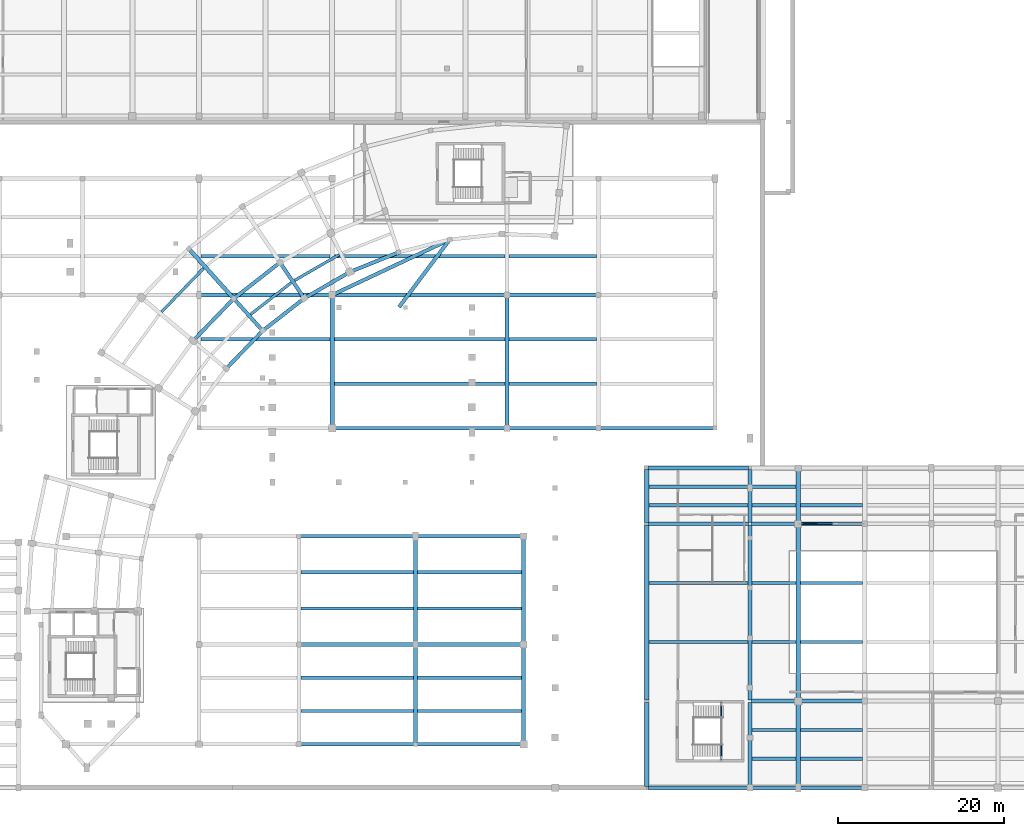
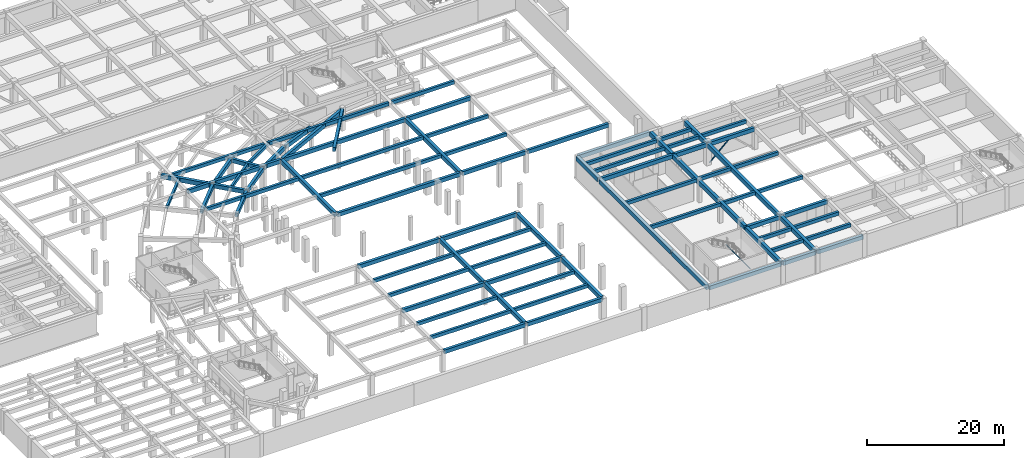
# One storey, part 5 of 35: 81 beams, 2 members.
"""IFC4 building model written with IfcOpenShell, lengths in metres."""

from ifc_helpers import new_model, si_unit, direction, frame, origin, origin_2d, place, context, subcontext, project, spatial, rectangle, hollow_rectangle, extrude, material, material_profile, profile_set, type_object, element, save


model = new_model("IFC4")

# Units and contexts
model_context = context("Model", 3, precision=1e-05, world=origin(), true_north=direction((0.0, 1.0)))
body_context = subcontext(model_context, "Body", "Model", "MODEL_VIEW")
ifc_project = project(units=[si_unit("LENGTHUNIT", "METRE"), si_unit("AREAUNIT", "SQUARE_METRE"), si_unit("VOLUMEUNIT", "CUBIC_METRE"), si_unit("PLANEANGLEUNIT", "RADIAN"), si_unit("MASSUNIT", "GRAM", prefix="KILO"), si_unit("THERMODYNAMICTEMPERATUREUNIT", "KELVIN"), si_unit("POWERUNIT", "WATT")], contexts=[model_context])

# Site, building, storey
site_placement = place(None, origin())
site = spatial("IfcSite", under=ifc_project, at=site_placement, CompositionType="ELEMENT")
building_placement = place(site_placement, origin())
building = spatial("IfcBuilding", under=site, at=building_placement, Name="Solvatero Civic Police Headquarters", CompositionType="ELEMENT")
storey_placement = place(building_placement, frame((0.0, 0.0, -4.199951171875)))
storey = spatial("IfcBuildingStorey", under=building, at=storey_placement, Name="B01", CompositionType="ELEMENT", Elevation=-4.199951171875)

# Beams
ifc_material_1 = material(Name="Concrete C40/50", Category="concrete")
ifc_material_profile_1 = material_profile(ifc_material_1, rectangle(XDim=0.35009765625, YDim=0.550048828125, at=origin_2d()), Name="RC 350x550")
ifc_profile_set_1 = profile_set([ifc_material_profile_1], Name="Concrete C40/50")
beam_type_1 = type_object("IfcBeamType", Name="BM-RC-350x550", PredefinedType="BEAM", material=ifc_profile_set_1)
for number, where, z_axis, x_axis, name in (
    (1, (72.829345703125, 68.83740234375, 3.625), (-0.866018181901, -0.500012508461, 0.0), (0.500012508461, -0.866018181901, 0.0), "Primary girder BM-R2-B01-ARC-CS1-B05"),
    (2, (67.073486328125, 65.47412109375, 3.625), (-0.787999171753, -0.615676299135, 0.0), (0.615676299135, -0.787999171753, 0.0), "Primary girder BM-R2-B01-ARC-CS1-B06"),
):
    element("IfcBeam", number, at=place(storey_placement, frame(where, z_axis=z_axis, x_axis=x_axis)), inside=storey, type_object=beam_type_1, Name=name, PredefinedType="BEAM", context=body_context, shape_type="SweptSolid", body=[
        extrude(rectangle(XDim=0.35009765625, YDim=0.550048828125, at=origin_2d()), origin(), (0.0, 0.0, 1.0), 6.168701171875),
    ])
beam_1_placement = place(storey_placement, frame((56.5556640625, 67.21337890625, 3.625), z_axis=(-0.694659228383, -0.71933897185, 0.0), x_axis=(0.71933897185, -0.694659228383, 0.0)))
element("IfcBeam", 3, at=beam_1_placement, inside=storey, type_object=beam_type_1, Name="Primary girder BM-R2-B01-ARC-CS2-B07", PredefinedType="BEAM", context=body_context, shape_type="SweptSolid", body=[
    extrude(rectangle(XDim=0.35009765625, YDim=0.550048828125, at=origin_2d()), origin(), (0.0, 0.0, 1.0), 7.27099609375),
])
ifc_material_profile_2 = material_profile(ifc_material_1, rectangle(XDim=0.39990234375, YDim=0.60009765625, at=origin_2d()), Name="RC 400x600")
ifc_profile_set_2 = profile_set([ifc_material_profile_2], Name="Concrete C40/50")
beam_type_2 = type_object("IfcBeamType", Name="BM-RC-400x600", PredefinedType="BEAM", material=ifc_profile_set_2)
for number, where, z_axis, x_axis, name in (
    (4, (68.25, 14.0, 3.639892578125), (1.0, 0.0, 0.0), (0.0, 1.0, 0.0), "Primary girder BM-R2-B01-SUBS-SEC-3-1-S1"),
    (5, (68.25, 18.0, 3.639892578125), (1.0, 0.0, 0.0), (0.0, 1.0, 0.0), "Primary girder BM-R2-B01-SUBS-SEC-3-1-S2"),
    (6, (68.25, 26.333251953125, 3.639892578125), (1.0, 0.0, 0.0), (0.0, 1.0, 0.0), "Primary girder BM-R2-B01-SUBS-SEC-3-2-S1"),
    (7, (68.25, 30.666748046875, 3.639892578125), (1.0, 0.0, 0.0), (0.0, 1.0, 0.0), "Primary girder BM-R2-B01-SUBS-SEC-3-2-S2"),
):
    element("IfcBeam", number, at=place(storey_placement, frame(where, z_axis=z_axis, x_axis=x_axis)), inside=storey, type_object=beam_type_2, Name=name, PredefinedType="BEAM", context=body_context, shape_type="SweptSolid", body=[
        extrude(rectangle(XDim=0.39990234375, YDim=0.60009765625, at=origin_2d()), origin(), (0.0, 0.0, 1.0), 13.5),
    ])
for number, where, z_axis, x_axis, name in (
    (8, (82.25, 14.0, 3.639892578125), (1.0, 0.0, 0.0), (0.0, 1.0, 0.0), "Primary girder BM-R2-B01-SUBS-SEC-4-1-S1"),
    (9, (82.25, 18.0, 3.639892578125), (1.0, 0.0, 0.0), (0.0, 1.0, 0.0), "Primary girder BM-R2-B01-SUBS-SEC-4-1-S2"),
    (10, (82.25, 26.333251953125, 3.639892578125), (1.0, 0.0, 0.0), (0.0, 1.0, 0.0), "Primary girder BM-R2-B01-SUBS-SEC-4-2-S1"),
    (11, (82.25, 30.666748046875, 3.639892578125), (1.0, 0.0, 0.0), (0.0, 1.0, 0.0), "Primary girder BM-R2-B01-SUBS-SEC-4-2-S2"),
):
    element("IfcBeam", number, at=place(storey_placement, frame(where, z_axis=z_axis, x_axis=x_axis)), inside=storey, type_object=beam_type_2, Name=name, PredefinedType="BEAM", context=body_context, shape_type="SweptSolid", body=[
        extrude(rectangle(XDim=0.39990234375, YDim=0.60009765625, at=origin_2d()), origin(), (0.0, 0.0, 1.0), 12.5),
    ])
for number, where, z_axis, x_axis, name in (
    (12, (56.25, 58.666748046875, 3.639892578125), (1.0, 0.0, 0.0), (0.0, 1.0, 0.0), "Primary girder BM-R2-B01-SUBM-SEC-3-1-S2"),
    (13, (56.25, 68.666748046875, 3.639892578125), (1.0, 0.0, 0.0), (0.0, 1.0, 0.0), "Primary girder BM-R2-B01-SUBM-SEC-3-2-S1"),
):
    element("IfcBeam", number, at=place(storey_placement, frame(where, z_axis=z_axis, x_axis=x_axis)), inside=storey, type_object=beam_type_2, Name=name, PredefinedType="BEAM", context=body_context, shape_type="SweptSolid", body=[
        extrude(rectangle(XDim=0.39990234375, YDim=0.60009765625, at=origin_2d()), origin(), (0.0, 0.0, 1.0), 15.5),
    ])
for number, where, z_axis, x_axis, name in (
    (14, (72.25, 53.333251953125, 3.639892578125), (1.0, 0.0, 0.0), (0.0, 1.0, 0.0), "Primary girder BM-R2-B01-SUBM-SEC-4-1-S1"),
    (15, (72.25, 58.666748046875, 3.639892578125), (1.0, 0.0, 0.0), (0.0, 1.0, 0.0), "Primary girder BM-R2-B01-SUBM-SEC-4-1-S2"),
    (16, (72.25, 68.666748046875, 3.639892578125), (1.0, 0.0, 0.0), (0.0, 1.0, 0.0), "Primary girder BM-R2-B01-SUBM-SEC-4-2-S1"),
):
    element("IfcBeam", number, at=place(storey_placement, frame(where, z_axis=z_axis, x_axis=x_axis)), inside=storey, type_object=beam_type_2, Name=name, PredefinedType="BEAM", context=body_context, shape_type="SweptSolid", body=[
        extrude(rectangle(XDim=0.39990234375, YDim=0.60009765625, at=origin_2d()), origin(), (0.0, 0.0, 1.0), 20.5),
    ])
for number, where, z_axis, x_axis, name in (
    (17, (93.25, 53.333251953125, 3.639892578125), (1.0, 0.0, 0.0), (0.0, 1.0, 0.0), "Primary girder BM-R2-B01-SUBM-SEC-5-1-S1"),
    (18, (93.25, 58.666748046875, 3.639892578125), (1.0, 0.0, 0.0), (0.0, 1.0, 0.0), "Primary girder BM-R2-B01-SUBM-SEC-5-1-S2"),
    (19, (93.25, 68.666748046875, 3.639892578125), (1.0, 0.0, 0.0), (0.0, 1.0, 0.0), "Primary girder BM-R2-B01-SUBM-SEC-5-2-S1"),
):
    element("IfcBeam", number, at=place(storey_placement, frame(where, z_axis=z_axis, x_axis=x_axis)), inside=storey, type_object=beam_type_2, Name=name, PredefinedType="BEAM", context=body_context, shape_type="SweptSolid", body=[
        extrude(rectangle(XDim=0.39990234375, YDim=0.60009765625, at=origin_2d()), origin(), (0.0, 0.0, 1.0), 10.5),
    ])
for number, where, z_axis, x_axis, name in (
    (20, (110.050048828125, 22.300048828125, 3.599853515625), (1.0, 0.0, 0.0), (0.0, 1.0, 0.0), "Primary girder BM-R2-B01-V3B-SEC-1-2-S1"),
    (21, (110.050048828125, 29.39990234375, 3.599853515625), (1.0, 0.0, 0.0), (0.0, 1.0, 0.0), "Primary girder BM-R2-B01-V3B-SEC-1-2-S2"),
    (22, (110.050048828125, 38.7333984375, 3.599853515625), (1.0, 0.0, 0.0), (0.0, 1.0, 0.0), "Primary girder BM-R2-B01-V3B-SEC-1-3-S1"),
    (23, (110.050048828125, 40.966796875, 3.599853515625), (1.0, 0.0, 0.0), (0.0, 1.0, 0.0), "Primary girder BM-R2-B01-V3B-SEC-1-3-S2"),
):
    element("IfcBeam", number, at=place(storey_placement, frame(where, z_axis=z_axis, x_axis=x_axis)), inside=storey, type_object=beam_type_2, Name=name, PredefinedType="BEAM", context=body_context, shape_type="SweptSolid", body=[
        extrude(rectangle(XDim=0.39990234375, YDim=0.60009765625, at=origin_2d()), origin(), (0.0, 0.0, 1.0), 11.89990234375),
    ])
for number, where, z_axis, x_axis, name in (
    (24, (122.449951171875, 8.2666015625, 3.599853515625), (1.0, 0.0, 0.0), (0.0, 1.0, 0.0), "Primary girder BM-R2-B01-V3B-SEC-2-1-S1"),
    (25, (122.449951171875, 11.7333984375, 3.599853515625), (1.0, 0.0, 0.0), (0.0, 1.0, 0.0), "Primary girder BM-R2-B01-V3B-SEC-2-1-S2"),
    (26, (122.449951171875, 22.300048828125, 3.599853515625), (1.0, 0.0, 0.0), (0.0, 1.0, 0.0), "Primary girder BM-R2-B01-V3B-SEC-2-2-S1"),
    (27, (122.449951171875, 29.39990234375, 3.599853515625), (1.0, 0.0, 0.0), (0.0, 1.0, 0.0), "Primary girder BM-R2-B01-V3B-SEC-2-2-S2"),
    (28, (122.449951171875, 38.7333984375, 3.599853515625), (1.0, 0.0, 0.0), (0.0, 1.0, 0.0), "Primary girder BM-R2-B01-V3B-SEC-2-3-S1"),
    (29, (122.449951171875, 40.966796875, 3.599853515625), (1.0, 0.0, 0.0), (0.0, 1.0, 0.0), "Primary girder BM-R2-B01-V3B-SEC-2-3-S2"),
):
    element("IfcBeam", number, at=place(storey_placement, frame(where, z_axis=z_axis, x_axis=x_axis)), inside=storey, type_object=beam_type_2, Name=name, PredefinedType="BEAM", context=body_context, shape_type="SweptSolid", body=[
        extrude(rectangle(XDim=0.39990234375, YDim=0.60009765625, at=origin_2d()), origin(), (0.0, 0.0, 1.0), 5.300048828125),
    ])
for number, where, z_axis, x_axis, name in (
    (30, (128.25, 8.2666015625, 3.599853515625), (1.0, 0.0, 0.0), (0.0, 1.0, 0.0), "Primary girder BM-R2-B01-V3B-SEC-3-1-S1"),
    (31, (128.25, 11.7333984375, 3.599853515625), (1.0, 0.0, 0.0), (0.0, 1.0, 0.0), "Primary girder BM-R2-B01-V3B-SEC-3-1-S2"),
    (32, (128.25, 22.300048828125, 3.599853515625), (1.0, 0.0, 0.0), (0.0, 1.0, 0.0), "Primary girder BM-R2-B01-V3B-SEC-3-2-S1"),
    (33, (128.25, 29.39990234375, 3.599853515625), (1.0, 0.0, 0.0), (0.0, 1.0, 0.0), "Primary girder BM-R2-B01-V3B-SEC-3-2-S2"),
    (34, (128.25, 38.7333984375, 3.599853515625), (1.0, 0.0, 0.0), (0.0, 1.0, 0.0), "Primary girder BM-R2-B01-V3B-SEC-3-3-S1"),
):
    element("IfcBeam", number, at=place(storey_placement, frame(where, z_axis=z_axis, x_axis=x_axis)), inside=storey, type_object=beam_type_2, Name=name, PredefinedType="BEAM", context=body_context, shape_type="SweptSolid", body=[
        extrude(rectangle(XDim=0.39990234375, YDim=0.60009765625, at=origin_2d()), origin(), (0.0, 0.0, 1.0), 7.5),
    ])
ifc_material_profile_3 = material_profile(ifc_material_1, rectangle(XDim=0.449951171875, YDim=0.699951171875, at=origin_2d()), Name="RC 450x700")
ifc_profile_set_3 = profile_set([ifc_material_profile_3], Name="Concrete C40/50")
beam_type_3 = type_object("IfcBeamType", Name="BM-RC-450x700", PredefinedType="BEAM", material=ifc_profile_set_3)
beam_2_placement = place(storey_placement, frame((68.159912109375, 10.0, 3.58984375), z_axis=(1.0, 0.0, 0.0), x_axis=(0.0, 1.0, 0.0)))
element("IfcBeam", 35, at=beam_2_placement, inside=storey, type_object=beam_type_3, Name="Primary girder BM-R2-B01-SUBS-GX-3-1", PredefinedType="BEAM", context=body_context, shape_type="SweptSolid", body=[
    extrude(rectangle(XDim=0.449951171875, YDim=0.699951171875, at=origin_2d()), origin(), (0.0, 0.0, 1.0), 13.68017578125),
])
beam_3_placement = place(storey_placement, frame((82.159912109375, 10.0, 3.58984375), z_axis=(1.0, 0.0, 0.0), x_axis=(0.0, 1.0, 0.0)))
element("IfcBeam", 36, at=beam_3_placement, inside=storey, type_object=beam_type_3, Name="Primary girder BM-R2-B01-SUBS-GX-4-1", PredefinedType="BEAM", context=body_context, shape_type="SweptSolid", body=[
    extrude(rectangle(XDim=0.449951171875, YDim=0.699951171875, at=origin_2d()), origin(), (0.0, 0.0, 1.0), 12.68017578125),
])
beam_4_placement = place(storey_placement, frame((68.159912109375, 22.0, 3.58984375), z_axis=(1.0, 0.0, 0.0), x_axis=(0.0, 1.0, 0.0)))
element("IfcBeam", 37, at=beam_4_placement, inside=storey, type_object=beam_type_3, Name="Primary girder BM-R2-B01-SUBS-GX-3-2", PredefinedType="BEAM", context=body_context, shape_type="SweptSolid", body=[
    extrude(rectangle(XDim=0.449951171875, YDim=0.699951171875, at=origin_2d()), origin(), (0.0, 0.0, 1.0), 13.68017578125),
])
beam_5_placement = place(storey_placement, frame((82.159912109375, 22.0, 3.58984375), z_axis=(1.0, 0.0, 0.0), x_axis=(0.0, 1.0, 0.0)))
element("IfcBeam", 38, at=beam_5_placement, inside=storey, type_object=beam_type_3, Name="Primary girder BM-R2-B01-SUBS-GX-4-2", PredefinedType="BEAM", context=body_context, shape_type="SweptSolid", body=[
    extrude(rectangle(XDim=0.449951171875, YDim=0.699951171875, at=origin_2d()), origin(), (0.0, 0.0, 1.0), 12.68017578125),
])
beam_6_placement = place(storey_placement, frame((68.159912109375, 35.0, 3.58984375), z_axis=(1.0, 0.0, 0.0), x_axis=(0.0, 1.0, 0.0)))
element("IfcBeam", 39, at=beam_6_placement, inside=storey, type_object=beam_type_3, Name="Primary girder BM-R2-B01-SUBS-GX-3-3", PredefinedType="BEAM", context=body_context, shape_type="SweptSolid", body=[
    extrude(rectangle(XDim=0.449951171875, YDim=0.699951171875, at=origin_2d()), origin(), (0.0, 0.0, 1.0), 13.68017578125),
])
beam_7_placement = place(storey_placement, frame((82.159912109375, 35.0, 3.58984375), z_axis=(1.0, 0.0, 0.0), x_axis=(0.0, 1.0, 0.0)))
element("IfcBeam", 40, at=beam_7_placement, inside=storey, type_object=beam_type_3, Name="Primary girder BM-R2-B01-SUBS-GX-4-3", PredefinedType="BEAM", context=body_context, shape_type="SweptSolid", body=[
    extrude(rectangle(XDim=0.449951171875, YDim=0.699951171875, at=origin_2d()), origin(), (0.0, 0.0, 1.0), 12.68017578125),
])
beam_8_placement = place(storey_placement, frame((72.159912109375, 48.0, 3.58984375), z_axis=(1.0, 0.0, 0.0), x_axis=(0.0, 1.0, 0.0)))
element("IfcBeam", 41, at=beam_8_placement, inside=storey, type_object=beam_type_3, Name="Primary girder BM-R2-B01-SUBM-GX-4-1", PredefinedType="BEAM", context=body_context, shape_type="SweptSolid", body=[
    extrude(rectangle(XDim=0.449951171875, YDim=0.699951171875, at=origin_2d()), origin(), (0.0, 0.0, 1.0), 20.68017578125),
])
beam_9_placement = place(storey_placement, frame((93.159912109375, 48.0, 3.58984375), z_axis=(1.0, 0.0, 0.0), x_axis=(0.0, 1.0, 0.0)))
element("IfcBeam", 42, at=beam_9_placement, inside=storey, type_object=beam_type_3, Name="Primary girder BM-R2-B01-SUBM-GX-5-1", PredefinedType="BEAM", context=body_context, shape_type="SweptSolid", body=[
    extrude(rectangle(XDim=0.449951171875, YDim=0.699951171875, at=origin_2d()), origin(), (0.0, 0.0, 1.0), 10.68017578125),
])
beam_10_placement = place(storey_placement, frame((104.159912109375, 48.0, 3.58984375), z_axis=(1.0, 0.0, 0.0), x_axis=(0.0, 1.0, 0.0)))
element("IfcBeam", 43, at=beam_10_placement, inside=storey, type_object=beam_type_3, Name="Primary girder BM-R2-B01-SUBM-GX-6-1", PredefinedType="BEAM", context=body_context, shape_type="SweptSolid", body=[
    extrude(rectangle(XDim=0.449951171875, YDim=0.699951171875, at=origin_2d()), origin(), (0.0, 0.0, 1.0), 13.68017578125),
])
beam_11_placement = place(storey_placement, frame((56.159912109375, 64.0, 3.58984375), z_axis=(1.0, 0.0, 0.0), x_axis=(0.0, 1.0, 0.0)))
element("IfcBeam", 44, at=beam_11_placement, inside=storey, type_object=beam_type_3, Name="Primary girder BM-R2-B01-SUBM-GX-3-2", PredefinedType="BEAM", context=body_context, shape_type="SweptSolid", body=[
    extrude(rectangle(XDim=0.449951171875, YDim=0.699951171875, at=origin_2d()), origin(), (0.0, 0.0, 1.0), 15.68017578125),
])
beam_12_placement = place(storey_placement, frame((72.159912109375, 64.0, 3.58984375), z_axis=(1.0, 0.0, 0.0), x_axis=(0.0, 1.0, 0.0)))
element("IfcBeam", 45, at=beam_12_placement, inside=storey, type_object=beam_type_3, Name="Primary girder BM-R2-B01-SUBM-GX-4-2", PredefinedType="BEAM", context=body_context, shape_type="SweptSolid", body=[
    extrude(rectangle(XDim=0.449951171875, YDim=0.699951171875, at=origin_2d()), origin(), (0.0, 0.0, 1.0), 20.68017578125),
])
beam_13_placement = place(storey_placement, frame((93.159912109375, 64.0, 3.58984375), z_axis=(1.0, 0.0, 0.0), x_axis=(0.0, 1.0, 0.0)))
element("IfcBeam", 46, at=beam_13_placement, inside=storey, type_object=beam_type_3, Name="Primary girder BM-R2-B01-SUBM-GX-5-2", PredefinedType="BEAM", context=body_context, shape_type="SweptSolid", body=[
    extrude(rectangle(XDim=0.449951171875, YDim=0.699951171875, at=origin_2d()), origin(), (0.0, 0.0, 1.0), 10.68017578125),
])
beam_14_placement = place(storey_placement, frame((109.9599609375, 4.800048828125, 3.550048828125), z_axis=(1.0, 0.0, 0.0), x_axis=(0.0, 1.0, 0.0)))
element("IfcBeam", 47, at=beam_14_placement, inside=storey, type_object=beam_type_3, Name="Primary girder BM-R2-B01-V3B-GX-1-1", PredefinedType="BEAM", context=body_context, shape_type="SweptSolid", body=[
    extrude(rectangle(XDim=0.449951171875, YDim=0.699951171875, at=origin_2d()), origin(), (0.0, 0.0, 1.0), 12.080078125),
])
beam_15_placement = place(storey_placement, frame((122.360107421875, 4.800048828125, 3.550048828125), z_axis=(1.0, 0.0, 0.0), x_axis=(0.0, 1.0, 0.0)))
element("IfcBeam", 48, at=beam_15_placement, inside=storey, type_object=beam_type_3, Name="Primary girder BM-R2-B01-V3B-GX-2-1", PredefinedType="BEAM", context=body_context, shape_type="SweptSolid", body=[
    extrude(rectangle(XDim=0.449951171875, YDim=0.699951171875, at=origin_2d()), origin(), (0.0, 0.0, 1.0), 5.47998046875),
])
beam_16_placement = place(storey_placement, frame((128.159912109375, 4.800048828125, 3.550048828125), z_axis=(1.0, 0.0, 0.0), x_axis=(0.0, 1.0, 0.0)))
element("IfcBeam", 49, at=beam_16_placement, inside=storey, type_object=beam_type_3, Name="Primary girder BM-R2-B01-V3B-GX-3-1", PredefinedType="BEAM", context=body_context, shape_type="SweptSolid", body=[
    extrude(rectangle(XDim=0.449951171875, YDim=0.699951171875, at=origin_2d()), origin(), (0.0, 0.0, 1.0), 7.68017578125),
])
beam_17_placement = place(storey_placement, frame((122.360107421875, 15.199951171875, 3.550048828125), z_axis=(1.0, 0.0, 0.0), x_axis=(0.0, 1.0, 0.0)))
element("IfcBeam", 50, at=beam_17_placement, inside=storey, type_object=beam_type_3, Name="Primary girder BM-R2-B01-V3B-GX-2-2", PredefinedType="BEAM", context=body_context, shape_type="SweptSolid", body=[
    extrude(rectangle(XDim=0.449951171875, YDim=0.699951171875, at=origin_2d()), origin(), (0.0, 0.0, 1.0), 5.47998046875),
])
beam_18_placement = place(storey_placement, frame((128.159912109375, 15.199951171875, 3.550048828125), z_axis=(1.0, 0.0, 0.0), x_axis=(0.0, 1.0, 0.0)))
element("IfcBeam", 51, at=beam_18_placement, inside=storey, type_object=beam_type_3, Name="Primary girder BM-R2-B01-V3B-GX-3-2", PredefinedType="BEAM", context=body_context, shape_type="SweptSolid", body=[
    extrude(rectangle(XDim=0.449951171875, YDim=0.699951171875, at=origin_2d()), origin(), (0.0, 0.0, 1.0), 7.68017578125),
])
beam_19_placement = place(storey_placement, frame((109.9599609375, 36.5, 3.550048828125), z_axis=(1.0, 0.0, 0.0), x_axis=(0.0, 1.0, 0.0)))
element("IfcBeam", 52, at=beam_19_placement, inside=storey, type_object=beam_type_3, Name="Primary girder BM-R2-B01-V3B-GX-1-3", PredefinedType="BEAM", context=body_context, shape_type="SweptSolid", body=[
    extrude(rectangle(XDim=0.449951171875, YDim=0.699951171875, at=origin_2d()), origin(), (0.0, 0.0, 1.0), 12.080078125),
])
beam_20_placement = place(storey_placement, frame((122.360107421875, 36.5, 3.550048828125), z_axis=(1.0, 0.0, 0.0), x_axis=(0.0, 1.0, 0.0)))
element("IfcBeam", 53, at=beam_20_placement, inside=storey, type_object=beam_type_3, Name="Primary girder BM-R2-B01-V3B-GX-2-3", PredefinedType="BEAM", context=body_context, shape_type="SweptSolid", body=[
    extrude(rectangle(XDim=0.449951171875, YDim=0.699951171875, at=origin_2d()), origin(), (0.0, 0.0, 1.0), 5.47998046875),
])
beam_21_placement = place(storey_placement, frame((128.159912109375, 36.5, 3.550048828125), z_axis=(1.0, 0.0, 0.0), x_axis=(0.0, 1.0, 0.0)))
element("IfcBeam", 54, at=beam_21_placement, inside=storey, type_object=beam_type_3, Name="Primary girder BM-R2-B01-V3B-GX-3-3", PredefinedType="BEAM", context=body_context, shape_type="SweptSolid", body=[
    extrude(rectangle(XDim=0.449951171875, YDim=0.699951171875, at=origin_2d()), origin(), (0.0, 0.0, 1.0), 7.68017578125),
])
beam_22_placement = place(storey_placement, frame((109.9599609375, 43.199951171875, 3.550048828125), z_axis=(1.0, 0.0, 0.0), x_axis=(0.0, 1.0, 0.0)))
element("IfcBeam", 55, at=beam_22_placement, inside=storey, type_object=beam_type_3, Name="Primary girder BM-R2-B01-V3B-GX-1-4", PredefinedType="BEAM", context=body_context, shape_type="SweptSolid", body=[
    extrude(rectangle(XDim=0.449951171875, YDim=0.699951171875, at=origin_2d()), origin(), (0.0, 0.0, 1.0), 12.080078125),
])
beam_23_placement = place(storey_placement, frame((72.09033203125, 64.042724609375, 3.58984375), z_axis=(0.904477471438, 0.426521398832, 0.0), x_axis=(-0.426521398832, 0.904477471438, 0.0)))
element("IfcBeam", 56, at=beam_23_placement, inside=storey, type_object=beam_type_3, Name="Primary girder BM-R2-B01-CRIN-SUP1", PredefinedType="BEAM", context=body_context, shape_type="SweptSolid", body=[
    extrude(rectangle(XDim=0.449951171875, YDim=0.699951171875, at=origin_2d()), origin(), (0.0, 0.0, 1.0), 15.4169921875),
])
beam_24_placement = place(storey_placement, frame((80.030029296875, 62.5400390625, 3.58984375), z_axis=(0.600278320008, 0.799791184328, 0.0), x_axis=(-0.799791184328, 0.600278320008, 0.0)))
element("IfcBeam", 57, at=beam_24_placement, inside=storey, type_object=beam_type_3, Name="Primary girder BM-R2-B01-CRIN-SUP2", PredefinedType="BEAM", context=body_context, shape_type="SweptSolid", body=[
    extrude(rectangle(XDim=0.449951171875, YDim=0.699951171875, at=origin_2d()), origin(), (0.0, 0.0, 1.0), 10.10400390625),
])
for number, where, z_axis, x_axis, name in (
    (58, (68.551025390625, 63.7294921875, 3.550048828125), (-0.559183253697, 0.829044081328, 0.0), (-0.829044081328, -0.559183253697, 0.0), "Primary girder BM-R2-B01-ARC-RAD1-S05"),
    (59, (63.5478515625, 59.820556640625, 3.550048828125), (-0.669141611787, 0.743134915998, 0.0), (-0.743134915998, -0.669141611787, 0.0), "Primary girder BM-R2-B01-ARC-RAD1-S06"),
):
    element("IfcBeam", number, at=place(storey_placement, frame(where, z_axis=z_axis, x_axis=x_axis)), inside=storey, type_object=beam_type_3, Name=name, PredefinedType="BEAM", context=body_context, shape_type="SweptSolid", body=[
        extrude(rectangle(XDim=0.449951171875, YDim=0.699951171875, at=origin_2d()), origin(), (0.0, 0.0, 1.0), 4.8798828125),
    ])
beam_25_placement = place(storey_placement, frame((79.837890625, 69.070556640625, 3.550048828125), z_axis=(-0.92718456448, -0.374604836313, 0.0), x_axis=(0.374604836313, -0.92718456448, 0.0)))
element("IfcBeam", 60, at=beam_25_placement, inside=storey, type_object=beam_type_3, Name="Primary girder BM-R2-B01-ARC-CIN-B04", PredefinedType="BEAM", context=body_context, shape_type="SweptSolid", body=[
    extrude(rectangle(XDim=0.449951171875, YDim=0.699951171875, at=origin_2d()), origin(), (0.0, 0.0, 1.0), 6.007080078125),
])
beam_26_placement = place(storey_placement, frame((73.981201171875, 66.680419921875, 3.550048828125), z_axis=(-0.866018402283, -0.50001212676, 0.0), x_axis=(0.50001212676, -0.866018402283, 0.0)))
element("IfcBeam", 61, at=beam_26_placement, inside=storey, type_object=beam_type_3, Name="Primary girder BM-R2-B01-ARC-CIN-B05", PredefinedType="BEAM", context=body_context, shape_type="SweptSolid", body=[
    extrude(rectangle(XDim=0.449951171875, YDim=0.699951171875, at=origin_2d()), origin(), (0.0, 0.0, 1.0), 6.006591796875),
])
beam_27_placement = place(storey_placement, frame((68.514404296875, 63.498291015625, 3.550048828125), z_axis=(-0.788002190418, -0.61567243555, 0.0), x_axis=(0.61567243555, -0.788002190418, 0.0)))
element("IfcBeam", 62, at=beam_27_placement, inside=storey, type_object=beam_type_3, Name="Primary girder BM-R2-B01-ARC-CIN-B06", PredefinedType="BEAM", context=body_context, shape_type="SweptSolid", body=[
    extrude(rectangle(XDim=0.449951171875, YDim=0.699951171875, at=origin_2d()), origin(), (0.0, 0.0, 1.0), 6.0068359375),
])
beam_28_placement = place(storey_placement, frame((65.606689453125, 67.809326171875, 3.550048828125), z_axis=(-0.788016676635, -0.61565389412, 0.0), x_axis=(0.61565389412, -0.788016676635, 0.0)))
element("IfcBeam", 63, at=beam_28_placement, inside=storey, type_object=beam_type_3, Name="Primary girder BM-R2-B01-ARC-CMID-B06", PredefinedType="BEAM", context=body_context, shape_type="SweptSolid", body=[
    extrude(rectangle(XDim=0.449951171875, YDim=0.699951171875, at=origin_2d()), origin(), (0.0, 0.0, 1.0), 6.732421875),
])
beam_29_placement = place(storey_placement, frame((63.543701171875, 59.58642578125, 3.550048828125), z_axis=(-0.694643109588, -0.719354537277, 0.0), x_axis=(0.719354537277, -0.694643109588, 0.0)))
element("IfcBeam", 64, at=beam_29_placement, inside=storey, type_object=beam_type_3, Name="Primary girder BM-R2-B01-ARC-CIN-B07", PredefinedType="BEAM", context=body_context, shape_type="SweptSolid", body=[
    extrude(rectangle(XDim=0.449951171875, YDim=0.699951171875, at=origin_2d()), origin(), (0.0, 0.0, 1.0), 6.0068359375),
])
beam_30_placement = place(storey_placement, frame((60.064208984375, 63.450927734375, 3.550048828125), z_axis=(-0.694632695691, -0.719364593288, 0.0), x_axis=(0.719364593288, -0.694632695691, 0.0)))
element("IfcBeam", 65, at=beam_30_placement, inside=storey, type_object=beam_type_3, Name="Primary girder BM-R2-B01-ARC-CMID-B07", PredefinedType="BEAM", context=body_context, shape_type="SweptSolid", body=[
    extrude(rectangle(XDim=0.449951171875, YDim=0.699951171875, at=origin_2d()), origin(), (0.0, 0.0, 1.0), 6.732421875),
])
ifc_material_profile_4 = material_profile(ifc_material_1, rectangle(XDim=0.5, YDim=0.75, at=origin_2d()), Name="RC 500x750")
ifc_profile_set_4 = profile_set([ifc_material_profile_4], Name="Concrete C40/50")
beam_type_4 = type_object("IfcBeamType", Name="BM-RC-500x750", PredefinedType="BEAM", material=ifc_profile_set_4)
beam_31_placement = place(storey_placement, frame((82.0, 10.159912109375, 3.56494140625), z_axis=(0.0, 1.0, 0.0), x_axis=(-1.0, 0.0, 0.0)))
element("IfcBeam", 66, at=beam_31_placement, inside=storey, type_object=beam_type_4, Name="Primary girder BM-R2-B01-SUBS-GY-4-1", PredefinedType="BEAM", context=body_context, shape_type="SweptSolid", body=[
    extrude(rectangle(XDim=0.5, YDim=0.75, at=origin_2d()), origin(), (0.0, 0.0, 1.0), 11.68017578125),
])
beam_32_placement = place(storey_placement, frame((82.0, 22.159912109375, 3.56494140625), z_axis=(0.0, 1.0, 0.0), x_axis=(-1.0, 0.0, 0.0)))
element("IfcBeam", 67, at=beam_32_placement, inside=storey, type_object=beam_type_4, Name="Primary girder BM-R2-B01-SUBS-GY-4-2", PredefinedType="BEAM", context=body_context, shape_type="SweptSolid", body=[
    extrude(rectangle(XDim=0.5, YDim=0.75, at=origin_2d()), origin(), (0.0, 0.0, 1.0), 12.68017578125),
])
beam_33_placement = place(storey_placement, frame((95.0, 10.159912109375, 3.56494140625), z_axis=(0.0, 1.0, 0.0), x_axis=(-1.0, 0.0, 0.0)))
element("IfcBeam", 68, at=beam_33_placement, inside=storey, type_object=beam_type_4, Name="Primary girder BM-R2-B01-SUBS-GY-5-1", PredefinedType="BEAM", context=body_context, shape_type="SweptSolid", body=[
    extrude(rectangle(XDim=0.5, YDim=0.75, at=origin_2d()), origin(), (0.0, 0.0, 1.0), 11.68017578125),
])
beam_34_placement = place(storey_placement, frame((95.0, 22.159912109375, 3.56494140625), z_axis=(0.0, 1.0, 0.0), x_axis=(-1.0, 0.0, 0.0)))
element("IfcBeam", 69, at=beam_34_placement, inside=storey, type_object=beam_type_4, Name="Primary girder BM-R2-B01-SUBS-GY-5-2", PredefinedType="BEAM", context=body_context, shape_type="SweptSolid", body=[
    extrude(rectangle(XDim=0.5, YDim=0.75, at=origin_2d()), origin(), (0.0, 0.0, 1.0), 12.68017578125),
])
for number, where, z_axis, x_axis, name in (
    (70, (72.0, 48.159912109375, 3.56494140625), (0.0, 1.0, 0.0), (-1.0, 0.0, 0.0), "Primary girder BM-R2-B01-SUBM-GY-4-1"),
    (71, (93.0, 48.159912109375, 3.56494140625), (0.0, 1.0, 0.0), (-1.0, 0.0, 0.0), "Primary girder BM-R2-B01-SUBM-GY-5-1"),
):
    element("IfcBeam", number, at=place(storey_placement, frame(where, z_axis=z_axis, x_axis=x_axis)), inside=storey, type_object=beam_type_4, Name=name, PredefinedType="BEAM", context=body_context, shape_type="SweptSolid", body=[
        extrude(rectangle(XDim=0.5, YDim=0.75, at=origin_2d()), origin(), (0.0, 0.0, 1.0), 15.68017578125),
    ])
beam_35_placement = place(storey_placement, frame((60.068359375, 63.684814453125, 3.52490234375), z_axis=(-0.669124218794, 0.743150576817, 0.0), x_axis=(-0.743150576817, -0.669124218794, 0.0)))
element("IfcBeam", 72, at=beam_35_placement, inside=storey, type_object=beam_type_4, Name="Primary girder BM-R2-B01-ARC-RAD2-S06", PredefinedType="BEAM", context=body_context, shape_type="SweptSolid", body=[
    extrude(rectangle(XDim=0.5, YDim=0.75, at=origin_2d()), origin(), (0.0, 0.0, 1.0), 7.780029296875),
])
ifc_material_profile_5 = material_profile(ifc_material_1, rectangle(XDim=0.5, YDim=0.800048828125, at=origin_2d()), Name="RC 500x800")
ifc_profile_set_5 = profile_set([ifc_material_profile_5], Name="Concrete C40/50")
beam_type_5 = type_object("IfcBeamType", Name="BM-RC-500x800", PredefinedType="BEAM", material=ifc_profile_set_5)
beam_36_placement = place(storey_placement, frame((109.800048828125, 4.9599609375, 3.5), z_axis=(0.0, 1.0, 0.0), x_axis=(-1.0, 0.0, 0.0)))
element("IfcBeam", 73, at=beam_36_placement, inside=storey, type_object=beam_type_5, Name="Primary girder BM-R2-B01-V3B-GY-1-1", PredefinedType="BEAM", context=body_context, shape_type="SweptSolid", body=[
    extrude(rectangle(XDim=0.5, YDim=0.800048828125, at=origin_2d()), origin(), (0.0, 0.0, 1.0), 10.080078125),
])
beam_37_placement = place(storey_placement, frame((109.800048828125, 15.360107421875, 3.5), z_axis=(0.0, 1.0, 0.0), x_axis=(-1.0, 0.0, 0.0)))
element("IfcBeam", 74, at=beam_37_placement, inside=storey, type_object=beam_type_5, Name="Primary girder BM-R2-B01-V3B-GY-1-2", PredefinedType="BEAM", context=body_context, shape_type="SweptSolid", body=[
    extrude(rectangle(XDim=0.5, YDim=0.800048828125, at=origin_2d()), origin(), (0.0, 0.0, 1.0), 20.97998046875),
])
beam_38_placement = place(storey_placement, frame((109.800048828125, 36.659912109375, 3.5), z_axis=(0.0, 1.0, 0.0), x_axis=(-1.0, 0.0, 0.0)))
element("IfcBeam", 75, at=beam_38_placement, inside=storey, type_object=beam_type_5, Name="Primary girder BM-R2-B01-V3B-GY-1-3", PredefinedType="BEAM", context=body_context, shape_type="SweptSolid", body=[
    extrude(rectangle(XDim=0.5, YDim=0.800048828125, at=origin_2d()), origin(), (0.0, 0.0, 1.0), 6.380126953125),
])
beam_39_placement = place(storey_placement, frame((122.199951171875, 4.9599609375, 3.5), z_axis=(0.0, 1.0, 0.0), x_axis=(-1.0, 0.0, 0.0)))
element("IfcBeam", 76, at=beam_39_placement, inside=storey, type_object=beam_type_5, Name="Primary girder BM-R2-B01-V3B-GY-2-1", PredefinedType="BEAM", context=body_context, shape_type="SweptSolid", body=[
    extrude(rectangle(XDim=0.5, YDim=0.800048828125, at=origin_2d()), origin(), (0.0, 0.0, 1.0), 10.080078125),
])
beam_40_placement = place(storey_placement, frame((122.199951171875, 15.360107421875, 3.5), z_axis=(0.0, 1.0, 0.0), x_axis=(-1.0, 0.0, 0.0)))
element("IfcBeam", 77, at=beam_40_placement, inside=storey, type_object=beam_type_5, Name="Primary girder BM-R2-B01-V3B-GY-2-2", PredefinedType="BEAM", context=body_context, shape_type="SweptSolid", body=[
    extrude(rectangle(XDim=0.5, YDim=0.800048828125, at=origin_2d()), origin(), (0.0, 0.0, 1.0), 20.97998046875),
])
beam_41_placement = place(storey_placement, frame((122.199951171875, 36.659912109375, 3.5), z_axis=(0.0, 1.0, 0.0), x_axis=(-1.0, 0.0, 0.0)))
element("IfcBeam", 78, at=beam_41_placement, inside=storey, type_object=beam_type_5, Name="Primary girder BM-R2-B01-V3B-GY-2-3", PredefinedType="BEAM", context=body_context, shape_type="SweptSolid", body=[
    extrude(rectangle(XDim=0.5, YDim=0.800048828125, at=origin_2d()), origin(), (0.0, 0.0, 1.0), 6.380126953125),
])
beam_42_placement = place(storey_placement, frame((128.0, 4.9599609375, 3.5), z_axis=(0.0, 1.0, 0.0), x_axis=(-1.0, 0.0, 0.0)))
element("IfcBeam", 79, at=beam_42_placement, inside=storey, type_object=beam_type_5, Name="Primary girder BM-R2-B01-V3B-GY-3-1", PredefinedType="BEAM", context=body_context, shape_type="SweptSolid", body=[
    extrude(rectangle(XDim=0.5, YDim=0.800048828125, at=origin_2d()), origin(), (0.0, 0.0, 1.0), 10.080078125),
])
beam_43_placement = place(storey_placement, frame((128.0, 15.360107421875, 3.5), z_axis=(0.0, 1.0, 0.0), x_axis=(-1.0, 0.0, 0.0)))
element("IfcBeam", 80, at=beam_43_placement, inside=storey, type_object=beam_type_5, Name="Primary girder BM-R2-B01-V3B-GY-3-2", PredefinedType="BEAM", context=body_context, shape_type="SweptSolid", body=[
    extrude(rectangle(XDim=0.5, YDim=0.800048828125, at=origin_2d()), origin(), (0.0, 0.0, 1.0), 20.97998046875),
])
beam_44_placement = place(storey_placement, frame((128.0, 36.659912109375, 3.5), z_axis=(0.0, 1.0, 0.0), x_axis=(-1.0, 0.0, 0.0)))
element("IfcBeam", 81, at=beam_44_placement, inside=storey, type_object=beam_type_5, Name="Primary girder BM-R2-B01-V3B-GY-3-3", PredefinedType="BEAM", context=body_context, shape_type="SweptSolid", body=[
    extrude(rectangle(XDim=0.5, YDim=0.800048828125, at=origin_2d()), origin(), (0.0, 0.0, 1.0), 6.380126953125),
])

# Members
ifc_material_2 = material(Name="Steel S355", Category="steel")
ifc_material_profile_6 = material_profile(ifc_material_2, hollow_rectangle(XDim=0.10009765625, YDim=0.14990234375, WallThickness=0.00634765625, InnerFilletRadius=0.00634765625, OuterFilletRadius=0.0126953125, at=origin_2d()), Name="RHS 150x100x6.3")
ifc_profile_set_6 = profile_set([ifc_material_profile_6], Name="Steel S355")
member_type_1 = type_object("IfcMemberType", Name="MB-BR-RHS150", PredefinedType="BRACE", material=ifc_profile_set_6)
member_1_placement = place(storey_placement, frame((118.739990234375, 8.080078125, 1.824951171875), z_axis=(0.0, 1.0, 0.0), x_axis=(-1.0, 0.0, 0.0)))
element("IfcMember", 82, at=member_1_placement, inside=storey, type_object=member_type_1, Name="ST-C5 B01 Landing Support Beam", PredefinedType="BRACE", context=body_context, shape_type="SweptSolid", body=[
    extrude(hollow_rectangle(XDim=0.10009765625, YDim=0.14990234375, WallThickness=0.00634765625, InnerFilletRadius=0.00634765625, OuterFilletRadius=0.0126953125, at=origin_2d()), origin(), (0.0, 0.0, 1.0), 7.0400390625),
])
ifc_material_profile_7 = material_profile(ifc_material_2, hollow_rectangle(XDim=0.1201171875, YDim=0.199951171875, WallThickness=0.010009765625, InnerFilletRadius=0.010009765625, OuterFilletRadius=0.02001953125, at=origin_2d()), Name="RHS 200x120x10.0")
ifc_profile_set_7 = profile_set([ifc_material_profile_7], Name="Steel S355")
member_type_2 = type_object("IfcMemberType", Name="MB-BR-RHS200W", PredefinedType="BRACE", material=ifc_profile_set_7)
member_2_placement = place(storey_placement, frame((128.300048828125, 36.5, 0.119873046875), z_axis=(0.733336143838, 0.0, 0.679866236947), x_axis=(0.0, 1.0, 0.0)))
element("IfcMember", 83, at=member_2_placement, inside=storey, type_object=member_type_2, Name="Chevron Brace BR-V3-INT Left B01", PredefinedType="BRACE", context=body_context, shape_type="SweptSolid", body=[
    extrude(hollow_rectangle(XDim=0.1201171875, YDim=0.199951171875, WallThickness=0.010009765625, InnerFilletRadius=0.010009765625, OuterFilletRadius=0.02001953125, at=origin_2d()), origin(), (0.0, 0.0, 1.0), 5.04541015625),
])

save(model, "model.ifc")
